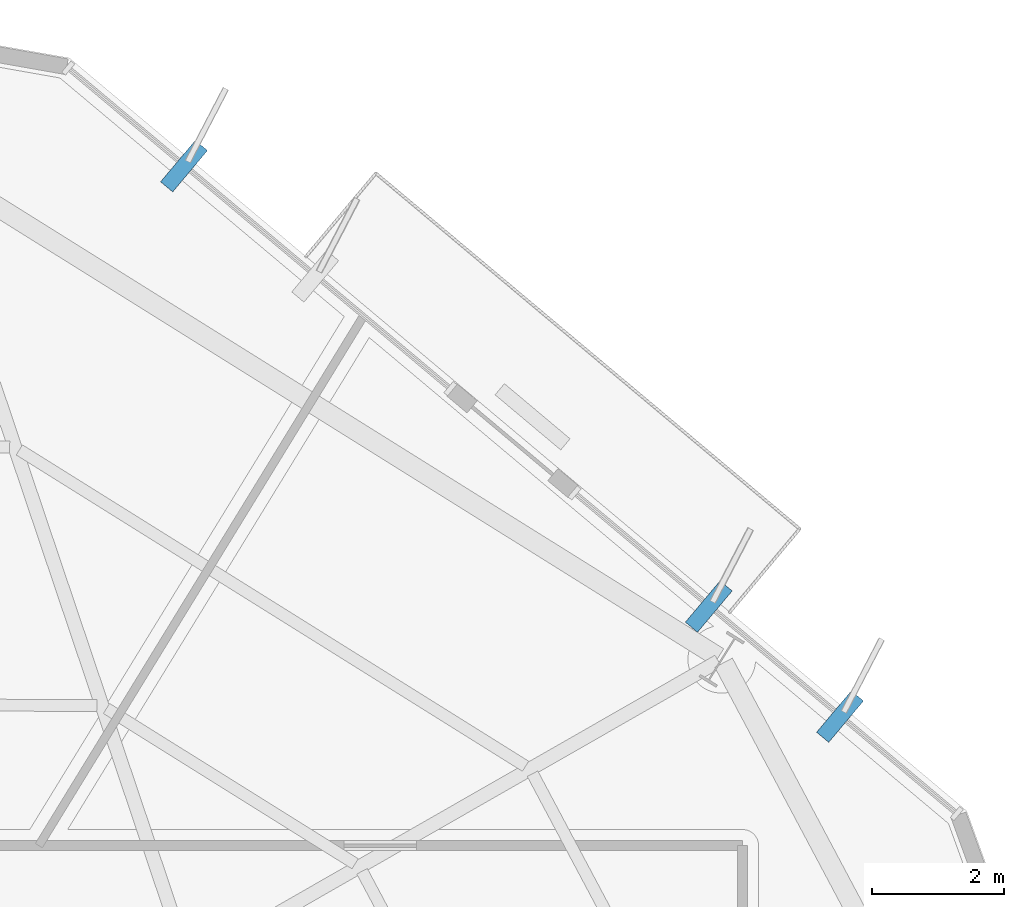
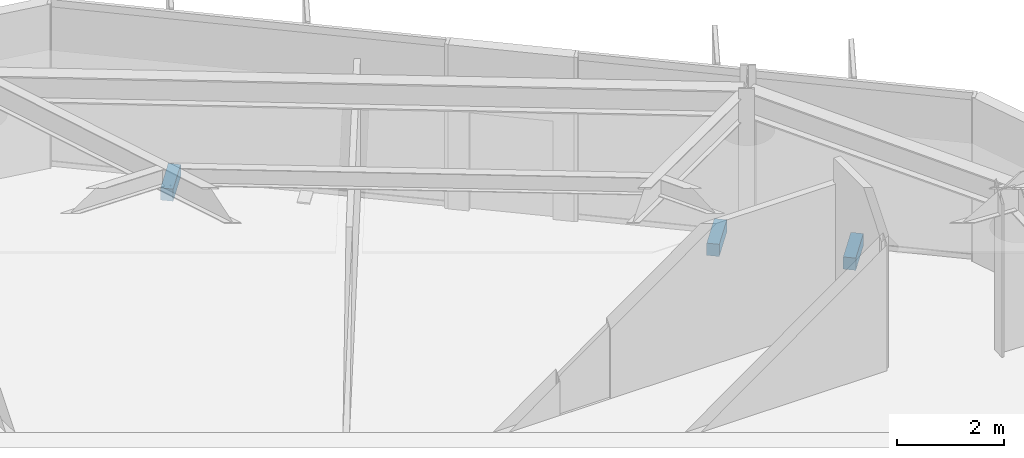
# One storey, part 9 of 13: 3 discrete accessories.
"""IFC4 building model written with IfcOpenShell, lengths in metres."""

import ifcopenshell
import ifcopenshell.guid

model = None  # the IFC model being written
_history = None  # IfcOwnerHistory: only IFC2X3 demands one
_inside = {}  # id of a spatial element -> (the spatial element, [elements in it])
_under = {}  # id of a project, library or spatial element -> (it, [spatial elements below it])
_declared = {}  # id of a project -> (the project, [libraries it declares])
_typed = {}  # id of a type object -> (the type object, [elements of that type])
_made_of = {}  # id of a material, layer set ... -> (it, [elements and type objects made of it])


def new_model(schema):
    """Start an empty IFC model of exactly this schema.

    Asked for "IFC4X3", IfcOpenShell would pick the latest addendum, in which some entities
    have other attributes; the version numbers below select the first issue.
    IFC2X3 requires an IfcOwnerHistory on every rooted entity: one is made here for all.
    """
    global model, _history
    if schema == "IFC4X3":
        model = ifcopenshell.file(schema_version=(4, 3, 0, 0))
    else:
        model = ifcopenshell.file(schema=schema)
    _inside.clear()
    _under.clear()
    _declared.clear()
    _typed.clear()
    _made_of.clear()
    _history = None
    if model.schema == "IFC2X3":
        org = make("IfcOrganization", Name="unknown")
        user = make(
            "IfcPersonAndOrganization",
            ThePerson=make("IfcPerson", FamilyName="unknown"),
            TheOrganization=org,
        )
        app = make(
            "IfcApplication",
            ApplicationDeveloper=org,
            Version="unknown",
            ApplicationFullName="unknown",
            ApplicationIdentifier="unknown",
        )
        _history = make(
            "IfcOwnerHistory",
            OwningUser=user,
            OwningApplication=app,
            ChangeAction="ADDED",
            CreationDate=0,
        )
    return model


def make(cls, **values):
    """One entity of the class cls with the attributes given. An attribute that is None is left unset."""
    return model.create_entity(
        cls, **{name: value for name, value in values.items() if value is not None}
    )


def rooted(cls, **values):
    """An entity with a GlobalId (a new one), such as an element, a storey or a relation."""
    return make(cls, GlobalId=ifcopenshell.guid.new(), OwnerHistory=_history, **values)


def si_unit(unit_type, name, prefix=None):
    """IfcSIUnit, for example si_unit("LENGTHUNIT", "METRE", prefix="MILLI")."""
    return make("IfcSIUnit", UnitType=unit_type, Prefix=prefix, Name=name)


def assignment(units):
    """IfcUnitAssignment: the units of a project."""
    return None if units is None else make("IfcUnitAssignment", Units=units)


def point(xyz):
    """IfcCartesianPoint."""
    return None if xyz is None else make("IfcCartesianPoint", Coordinates=xyz)


def direction(xyz):
    """IfcDirection."""
    return None if xyz is None else make("IfcDirection", DirectionRatios=xyz)


def frame(location, z_axis=None, x_axis=None):
    """IfcAxis2Placement3D, a coordinate frame: its origin and axes. An axis left out is left unset."""
    return make(
        "IfcAxis2Placement3D",
        Location=point(location),
        Axis=direction(z_axis),
        RefDirection=direction(x_axis),
    )


def frame_2d(location, x_axis=None):
    """IfcAxis2Placement2D, a coordinate frame in the plane: its origin and x axis."""
    return make(
        "IfcAxis2Placement2D", Location=point(location), RefDirection=direction(x_axis)
    )


def origin():
    """The frame at (0, 0, 0) with its axes left unset."""
    return frame((0.0, 0.0, 0.0))


def origin_2d():
    """The frame at (0, 0) in the plane with its x axis left unset."""
    return frame_2d((0.0, 0.0))


def place(relative_to, where):
    """IfcLocalPlacement: puts the frame where relative to a parent placement (None: the world)."""
    return make(
        "IfcLocalPlacement", PlacementRelTo=relative_to, RelativePlacement=where
    )


def context(
    kind, dimensions, precision=None, world=None, true_north=None, identifier=None
):
    """IfcGeometricRepresentationContext, for example the 3D "Model" context."""
    return make(
        "IfcGeometricRepresentationContext",
        ContextIdentifier=identifier,
        ContextType=kind,
        CoordinateSpaceDimension=dimensions,
        Precision=precision,
        WorldCoordinateSystem=world,
        TrueNorth=true_north,
    )


def subcontext(parent, identifier, kind, view, scale=None):
    """IfcGeometricRepresentationSubContext, for example "Body" below "Model"."""
    return make(
        "IfcGeometricRepresentationSubContext",
        ContextIdentifier=identifier,
        ContextType=kind,
        ParentContext=parent,
        TargetScale=scale,
        TargetView=view,
    )


def project(units=None, contexts=None):
    """IfcProject with its units and contexts."""
    return rooted(
        "IfcProject",
        Name="project",
        RepresentationContexts=contexts,
        UnitsInContext=assignment(units),
    )


def spatial(cls, under=None, at=None, **own):
    """A site, building, storey or space (cls), placed at a placement, below another one or the project."""
    s = rooted(cls, ObjectPlacement=at, **own)
    if under is not None:
        _under.setdefault(under.id(), (under, []))[1].append(s)
    return s


def profile(cls, at=None, kind="AREA", **sizes):
    """A parametric profile (cls). Its sizes go by their IFC names, for example OverallWidth=200.0."""
    return make(cls, ProfileType=kind, Position=at, **sizes)


def rectangle(**sizes):
    """IfcRectangleProfileDef."""
    return profile("IfcRectangleProfileDef", **sizes)


def extrude(swept, where, along, depth):
    """IfcExtrudedAreaSolid: the profile swept, set in the frame where, extruded along a direction by depth."""
    return make(
        "IfcExtrudedAreaSolid",
        SweptArea=swept,
        Position=where,
        ExtrudedDirection=direction(along),
        Depth=depth,
    )


def shape(context_of_items, identifier, shape_type, items):
    """IfcShapeRepresentation: the items that make up one representation, for example the "Body"."""
    return make(
        "IfcShapeRepresentation",
        ContextOfItems=context_of_items,
        RepresentationIdentifier=identifier,
        RepresentationType=shape_type,
        Items=items,
    )


def material(Name=None, Category=None):
    """IfcMaterial."""
    return make("IfcMaterial", Name=Name, Category=Category)


def made_of(thing, what):
    """Note that an element or type object is made of a material, layer set ...; save() writes the relation."""
    if what is not None:
        _made_of.setdefault(what.id(), (what, []))[1].append(thing)
    return thing


def type_object(cls, material=None, **own):
    """A type object (cls), such as IfcWallType, which elements share."""
    return made_of(rooted(cls, **own), material)


def element(
    cls,
    number,
    at=None,
    inside=None,
    cuts=None,
    type_object=None,
    material=None,
    context=None,
    identifier="Body",
    shape_type=None,
    held_by="IfcProductDefinitionShape",
    body=None,
    shapes=None,
    **own,
):
    """One element of the class cls, such as IfcWall. Its Tag is "e" and its number.

    at: its placement. inside: the storey or other place that contains it. cuts: it is an
    opening in that element (IfcRelVoidsElement). A single representation is given by context,
    identifier, shape_type and body (its items); several are given by shapes. held_by: the class
    of the entity that holds the representations. save() writes the other relations.
    """
    e = rooted(cls, Tag="e%d" % number, ObjectPlacement=at, **own)
    if body is not None:
        shapes = [shape(context, identifier, shape_type, body)]
    if shapes is not None:
        e.Representation = make(held_by, Representations=shapes)
    if inside is not None:
        _inside.setdefault(inside.id(), (inside, []))[1].append(e)
    if cuts is not None:
        rooted(
            "IfcRelVoidsElement", RelatingBuildingElement=cuts, RelatedOpeningElement=e
        )
    if type_object is not None:
        _typed.setdefault(type_object.id(), (type_object, []))[1].append(e)
    return made_of(e, material)


def aggregate(whole, parts):
    """IfcRelAggregates: a whole, such as a stair, and the parts it consists of."""
    return rooted("IfcRelAggregates", RelatingObject=whole, RelatedObjects=parts)


def save(model, path):
    """Write the relations noted so far, then the file.

    IfcRelAggregates (storeys below a building ...), IfcRelContainedInSpatialStructure (elements
    in a storey), IfcRelDefinesByType, IfcRelAssociatesMaterial and IfcRelDeclares: one each for
    every whole, place, type object, material and project.
    """
    for whole, parts in _under.values():
        aggregate(whole, parts)
    for where, things in _inside.values():
        rooted(
            "IfcRelContainedInSpatialStructure",
            RelatedElements=things,
            RelatingStructure=where,
        )
    for kind, things in _typed.values():
        rooted("IfcRelDefinesByType", RelatedObjects=things, RelatingType=kind)
    for what, things in _made_of.values():
        rooted("IfcRelAssociatesMaterial", RelatedObjects=things, RelatingMaterial=what)
    for by, libraries in _declared.values():
        rooted("IfcRelDeclares", RelatingContext=by, RelatedDefinitions=libraries)
    model.write(path)


model = new_model("IFC4")

# Units and contexts
model_context = context("Model", 3, precision=1e-05, world=origin(), true_north=direction((0.0, 1.0)))
body_context = subcontext(model_context, "Body", "Model", "MODEL_VIEW")
ifc_project = project(units=[si_unit("LENGTHUNIT", "METRE"), si_unit("AREAUNIT", "SQUARE_METRE"), si_unit("VOLUMEUNIT", "CUBIC_METRE"), si_unit("PLANEANGLEUNIT", "RADIAN"), si_unit("MASSUNIT", "GRAM", prefix="KILO")], contexts=[model_context])

# Site, building, storey
site_placement = place(None, origin())
site = spatial("IfcSite", under=ifc_project, at=site_placement, CompositionType="ELEMENT")
building_placement = place(site_placement, origin())
building = spatial("IfcBuilding", under=site, at=building_placement, Name="Kranzbogen Civic Tower", CompositionType="ELEMENT")
storey_placement = place(building_placement, frame((0.0, 0.0, 102.39990234375)))
storey = spatial("IfcBuildingStorey", under=building, at=storey_placement, Name="L24", CompositionType="ELEMENT", Elevation=102.39990234375)

# Discrete accessories
ifc_material = material(Name="Steel S355", Category="steel")
discrete_accessory_type = type_object("IfcDiscreteAccessoryType", Name="Structural Curtain-Wall Fin Support Bracket", PredefinedType="BRACKET", material=ifc_material)
for number, where, z_axis, x_axis, name in (
    (1, (42.680908203125, 35.958984375, -0.25), (0.0, 0.0, 1.0), (0.642787609687, 0.766044443119, 0.0), "L24 facade fin support bracket F1-1"),
    (2, (40.68896484375, 37.6298828125, -0.25), (0.0, 0.0, 1.0), (0.642787609687, 0.766044443119, 0.0), "L24 facade fin support bracket F1-2"),
    (3, (32.721923828125, 44.31494140625, -0.25), (0.0, 0.0, 1.0), (0.642787609687, 0.766044443119, 0.0), "L24 facade fin support bracket F1-6"),
):
    element("IfcDiscreteAccessory", number, at=place(storey_placement, frame(where, z_axis=z_axis, x_axis=x_axis)), inside=storey, type_object=discrete_accessory_type, Name=name, PredefinedType="BRACKET", context=body_context, shape_type="SweptSolid", body=[
        extrude(rectangle(XDim=0.820068359375, YDim=0.239990234375, at=origin_2d()), origin(), (0.0, 0.0, 1.0), 0.280029296875),
    ])

save(model, "model.ifc")
